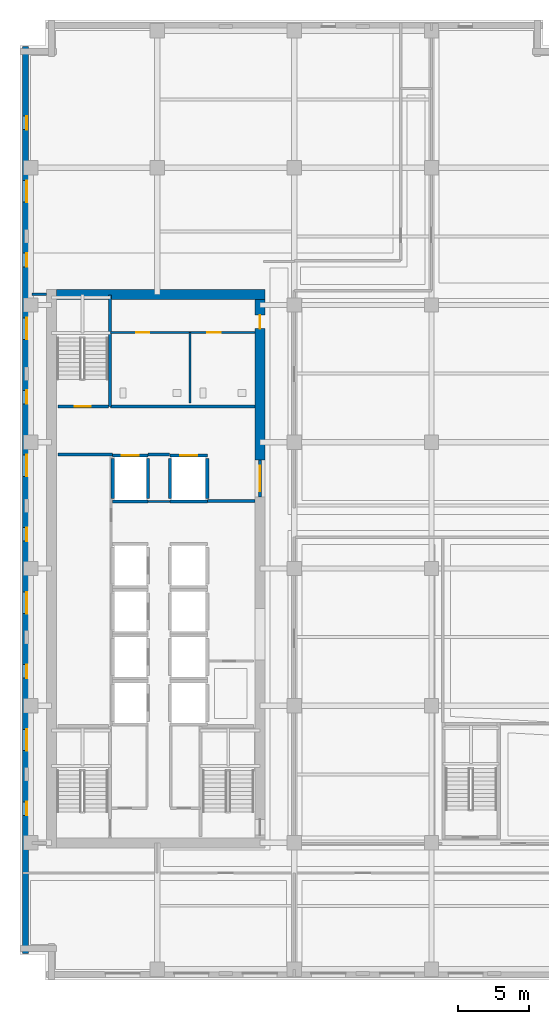
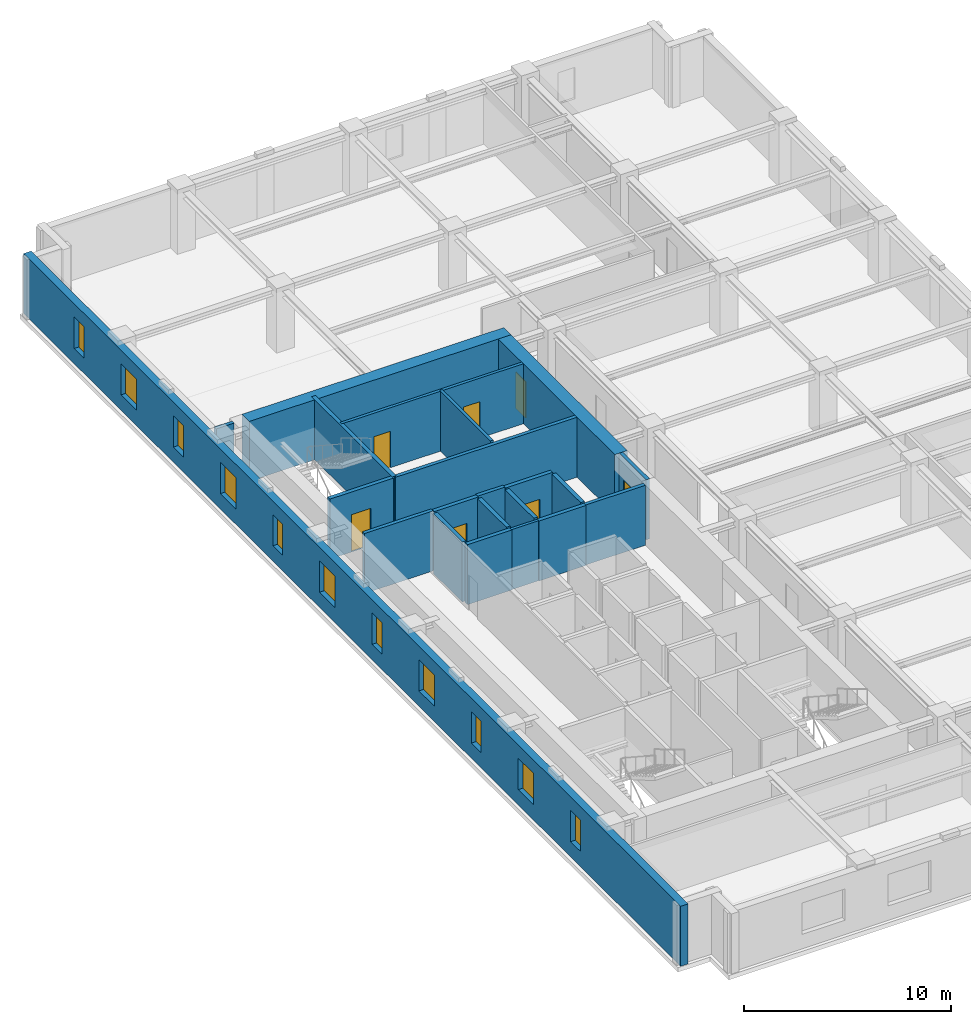
# One storey, part 6 of 12: 22 walls, 11 windows, 7 doors, 18 openings.
"""IFC4 building model written with IfcOpenShell, lengths in metres."""

from ifc_helpers import new_model, si_unit, direction, frame, frame_2d, origin, place, context, subcontext, project, spatial, rectangle, extrude, material, layer, layer_set, type_object, element, fill, save


model = new_model("IFC4")

# Units and contexts
model_context = context("Model", 3, precision=1e-05, world=origin(), true_north=direction((0.0, 1.0)))
body_context = subcontext(model_context, "Body", "Model", "MODEL_VIEW")
ifc_project = project(units=[si_unit("LENGTHUNIT", "METRE"), si_unit("AREAUNIT", "SQUARE_METRE"), si_unit("VOLUMEUNIT", "CUBIC_METRE"), si_unit("PLANEANGLEUNIT", "RADIAN"), si_unit("MASSUNIT", "GRAM", prefix="KILO")], contexts=[model_context])

# Site, building, storey
site_placement = place(None, origin())
site = spatial("IfcSite", under=ifc_project, at=site_placement, CompositionType="ELEMENT")
building_placement = place(site_placement, origin())
building = spatial("IfcBuilding", under=site, at=building_placement, Name="Norrvale University Quadrangle", CompositionType="ELEMENT")
storey_placement = place(building_placement, frame((0.0, 0.0, 109.0)))
storey = spatial("IfcBuildingStorey", under=building, at=storey_placement, Name="L27", CompositionType="ELEMENT", Elevation=109.0)

# Wall, openings, windows
ifc_material_1 = material(Name="Buff Norman Clay Brick Masonry", Category="masonry")
ifc_layer_1 = layer(ifc_material_1, 0.419921875, Name="Buff Norman Clay Brick Masonry")
ifc_layer_set_1 = layer_set([ifc_layer_1], Name="Buff Norman Clay Brick Masonry")
wall_type_1 = type_object("IfcWallType", Name="Wall Buff Brick 420", PredefinedType="SOLIDWALL", material=ifc_layer_set_1)
wall_1_placement = place(storey_placement, frame((0.389892578125, 65.360107421875, 0.0), z_axis=(0.0, 0.0, 1.0), x_axis=(0.0, -1.0, 0.0)))
wall_1 = element("IfcWall", 1, at=wall_1_placement, inside=storey, type_object=wall_type_1, Name="Exterior Brick Facade Wall L27-14.1", PredefinedType="SOLIDWALL", context=body_context, shape_type="SweptSolid", body=[
    extrude(rectangle(XDim=63.52001953125, YDim=0.419921875, at=frame_2d((31.760009765625, 0.0))), origin(), (0.0, 0.0, 1.0), 3.5400390625),
])
opening_1_placement = place(wall_1_placement, frame((4.885009765625, 0.0, 0.89990234375)))
opening_1 = element("IfcOpeningElement", 2, at=opening_1_placement, cuts=wall_1, Name="Opening W04", PredefinedType="OPENING", context=body_context, shape_type="SweptSolid", body=[
    extrude(rectangle(XDim=0.949951171875, YDim=1.85009765625, at=frame_2d((0.47509765625, 0.925048828125))), frame((0.0, 0.221923828125, 0.0), z_axis=(0.0, -1.0, 0.0), x_axis=(1.0, 0.0, 0.0)), (0.0, 0.0, 1.0), 0.44384765625),
])
opening_2_placement = place(wall_1_placement, frame((9.409912109375, 0.0, 0.89990234375)))
opening_2 = element("IfcOpeningElement", 3, at=opening_2_placement, cuts=wall_1, Name="Opening W03", PredefinedType="OPENING", context=body_context, shape_type="SweptSolid", body=[
    extrude(rectangle(XDim=1.5, YDim=1.85009765625, at=frame_2d((0.75, 0.925048828125))), frame((0.0, 0.221923828125, 0.0), z_axis=(0.0, -1.0, 0.0), x_axis=(1.0, 0.0, 0.0)), (0.0, 0.0, 1.0), 0.44384765625),
])
opening_3_placement = place(wall_1_placement, frame((14.485107421875, 0.0, 0.89990234375)))
opening_3 = element("IfcOpeningElement", 4, at=opening_3_placement, cuts=wall_1, Name="Opening W04", PredefinedType="OPENING", context=body_context, shape_type="SweptSolid", body=[
    extrude(rectangle(XDim=0.949951171875, YDim=1.85009765625, at=frame_2d((0.47509765625, 0.925048828125))), frame((0.0, 0.221923828125, 0.0), z_axis=(0.0, -1.0, 0.0), x_axis=(1.0, 0.0, 0.0)), (0.0, 0.0, 1.0), 0.44384765625),
])
opening_4_placement = place(wall_1_placement, frame((19.010009765625, 0.0, 0.89990234375)))
opening_4 = element("IfcOpeningElement", 5, at=opening_4_placement, cuts=wall_1, Name="Opening W03", PredefinedType="OPENING", context=body_context, shape_type="SweptSolid", body=[
    extrude(rectangle(XDim=1.5, YDim=1.85009765625, at=frame_2d((0.75, 0.925048828125))), frame((0.0, 0.221923828125, 0.0), z_axis=(0.0, -1.0, 0.0), x_axis=(1.0, 0.0, 0.0)), (0.0, 0.0, 1.0), 0.44384765625),
])
opening_5_placement = place(wall_1_placement, frame((24.0849609375, 0.0, 0.89990234375)))
opening_5 = element("IfcOpeningElement", 6, at=opening_5_placement, cuts=wall_1, Name="Opening W04", PredefinedType="OPENING", context=body_context, shape_type="SweptSolid", body=[
    extrude(rectangle(XDim=0.949951171875, YDim=1.85009765625, at=frame_2d((0.47509765625, 0.925048828125))), frame((0.0, 0.221923828125, 0.0), z_axis=(0.0, -1.0, 0.0), x_axis=(1.0, 0.0, 0.0)), (0.0, 0.0, 1.0), 0.44384765625),
])
opening_6_placement = place(wall_1_placement, frame((28.610107421875, 0.0, 0.89990234375)))
opening_6 = element("IfcOpeningElement", 7, at=opening_6_placement, cuts=wall_1, Name="Opening W03", PredefinedType="OPENING", context=body_context, shape_type="SweptSolid", body=[
    extrude(rectangle(XDim=1.5, YDim=1.85009765625, at=frame_2d((0.75, 0.925048828125))), frame((0.0, 0.221923828125, 0.0), z_axis=(0.0, -1.0, 0.0), x_axis=(1.0, 0.0, 0.0)), (0.0, 0.0, 1.0), 0.44384765625),
])
opening_7_placement = place(wall_1_placement, frame((33.68505859375, 0.0, 0.89990234375)))
opening_7 = element("IfcOpeningElement", 8, at=opening_7_placement, cuts=wall_1, Name="Opening W04", PredefinedType="OPENING", context=body_context, shape_type="SweptSolid", body=[
    extrude(rectangle(XDim=0.949951171875, YDim=1.85009765625, at=frame_2d((0.47509765625, 0.925048828125))), frame((0.0, 0.221923828125, 0.0), z_axis=(0.0, -1.0, 0.0), x_axis=(1.0, 0.0, 0.0)), (0.0, 0.0, 1.0), 0.44384765625),
])
opening_8_placement = place(wall_1_placement, frame((38.2099609375, 0.0, 0.89990234375)))
opening_8 = element("IfcOpeningElement", 9, at=opening_8_placement, cuts=wall_1, Name="Opening W03", PredefinedType="OPENING", context=body_context, shape_type="SweptSolid", body=[
    extrude(rectangle(XDim=1.5, YDim=1.85009765625, at=frame_2d((0.75, 0.925048828125))), frame((0.0, 0.221923828125, 0.0), z_axis=(0.0, -1.0, 0.0), x_axis=(1.0, 0.0, 0.0)), (0.0, 0.0, 1.0), 0.44384765625),
])
opening_9_placement = place(wall_1_placement, frame((43.284912109375, 0.0, 0.89990234375)))
opening_9 = element("IfcOpeningElement", 10, at=opening_9_placement, cuts=wall_1, Name="Opening W04", PredefinedType="OPENING", context=body_context, shape_type="SweptSolid", body=[
    extrude(rectangle(XDim=0.949951171875, YDim=1.85009765625, at=frame_2d((0.47509765625, 0.925048828125))), frame((0.0, 0.221923828125, 0.0), z_axis=(0.0, -1.0, 0.0), x_axis=(1.0, 0.0, 0.0)), (0.0, 0.0, 1.0), 0.44384765625),
])
opening_10_placement = place(wall_1_placement, frame((47.81005859375, 0.0, 0.89990234375)))
opening_10 = element("IfcOpeningElement", 11, at=opening_10_placement, cuts=wall_1, Name="Opening W03", PredefinedType="OPENING", context=body_context, shape_type="SweptSolid", body=[
    extrude(rectangle(XDim=1.5, YDim=1.85009765625, at=frame_2d((0.75, 0.925048828125))), frame((0.0, 0.221923828125, 0.0), z_axis=(0.0, -1.0, 0.0), x_axis=(1.0, 0.0, 0.0)), (0.0, 0.0, 1.0), 0.44384765625),
])
opening_11_placement = place(wall_1_placement, frame((52.885009765625, 0.0, 0.89990234375)))
opening_11 = element("IfcOpeningElement", 12, at=opening_11_placement, cuts=wall_1, Name="Opening W04", PredefinedType="OPENING", context=body_context, shape_type="SweptSolid", body=[
    extrude(rectangle(XDim=0.949951171875, YDim=1.85009765625, at=frame_2d((0.47509765625, 0.925048828125))), frame((0.0, 0.221923828125, 0.0), z_axis=(0.0, -1.0, 0.0), x_axis=(1.0, 0.0, 0.0)), (0.0, 0.0, 1.0), 0.44384765625),
])
ifc_material_2 = material(Name="Triple Low-E Argon Glazing", Category="glass")
window_type_1 = type_object("IfcWindowType", Name="Window Narrow Pier 950x2300", PartitioningType="SINGLE_PANEL", PredefinedType="WINDOW", material=ifc_material_2)
window_1_placement = place(opening_1_placement, origin())
window_1 = element("IfcWindow", 13, at=window_1_placement, inside=storey, type_object=window_type_1, Name="Window Narrow Pier 950x2300 WIN-L27-E14-1-01", OverallHeight=1.85009765625, OverallWidth=0.949951171875, PartitioningType="SINGLE_PANEL", PredefinedType="WINDOW", context=body_context, shape_type="SweptSolid", body=[
    extrude(rectangle(XDim=0.949951171875, YDim=1.85009765625, at=frame_2d((0.47509765625, 0.925048828125))), frame((0.0, 0.110107421875, 0.0), z_axis=(0.0, -1.0, 0.0), x_axis=(1.0, 0.0, 0.0)), (0.0, 0.0, 1.0), 0.06005859375),
])
fill(opening_1, window_1)
window_2_placement = place(opening_3_placement, origin())
window_2 = element("IfcWindow", 14, at=window_2_placement, inside=storey, type_object=window_type_1, Name="Window Narrow Pier 950x2300 WIN-L27-E14-1-03", OverallHeight=1.85009765625, OverallWidth=0.949951171875, PartitioningType="SINGLE_PANEL", PredefinedType="WINDOW", context=body_context, shape_type="SweptSolid", body=[
    extrude(rectangle(XDim=0.949951171875, YDim=1.85009765625, at=frame_2d((0.47509765625, 0.925048828125))), frame((0.0, 0.110107421875, 0.0), z_axis=(0.0, -1.0, 0.0), x_axis=(1.0, 0.0, 0.0)), (0.0, 0.0, 1.0), 0.06005859375),
])
fill(opening_3, window_2)
window_3_placement = place(opening_5_placement, origin())
window_3 = element("IfcWindow", 15, at=window_3_placement, inside=storey, type_object=window_type_1, Name="Window Narrow Pier 950x2300 WIN-L27-E14-1-05", OverallHeight=1.85009765625, OverallWidth=0.949951171875, PartitioningType="SINGLE_PANEL", PredefinedType="WINDOW", context=body_context, shape_type="SweptSolid", body=[
    extrude(rectangle(XDim=0.949951171875, YDim=1.85009765625, at=frame_2d((0.47509765625, 0.925048828125))), frame((0.0, 0.110107421875, 0.0), z_axis=(0.0, -1.0, 0.0), x_axis=(1.0, 0.0, 0.0)), (0.0, 0.0, 1.0), 0.06005859375),
])
fill(opening_5, window_3)
window_4_placement = place(opening_7_placement, origin())
window_4 = element("IfcWindow", 16, at=window_4_placement, inside=storey, type_object=window_type_1, Name="Window Narrow Pier 950x2300 WIN-L27-E14-1-07", OverallHeight=1.85009765625, OverallWidth=0.949951171875, PartitioningType="SINGLE_PANEL", PredefinedType="WINDOW", context=body_context, shape_type="SweptSolid", body=[
    extrude(rectangle(XDim=0.949951171875, YDim=1.85009765625, at=frame_2d((0.47509765625, 0.925048828125))), frame((0.0, 0.110107421875, 0.0), z_axis=(0.0, -1.0, 0.0), x_axis=(1.0, 0.0, 0.0)), (0.0, 0.0, 1.0), 0.06005859375),
])
fill(opening_7, window_4)
window_5_placement = place(opening_9_placement, origin())
window_5 = element("IfcWindow", 17, at=window_5_placement, inside=storey, type_object=window_type_1, Name="Window Narrow Pier 950x2300 WIN-L27-E14-1-09", OverallHeight=1.85009765625, OverallWidth=0.949951171875, PartitioningType="SINGLE_PANEL", PredefinedType="WINDOW", context=body_context, shape_type="SweptSolid", body=[
    extrude(rectangle(XDim=0.949951171875, YDim=1.85009765625, at=frame_2d((0.47509765625, 0.925048828125))), frame((0.0, 0.110107421875, 0.0), z_axis=(0.0, -1.0, 0.0), x_axis=(1.0, 0.0, 0.0)), (0.0, 0.0, 1.0), 0.06005859375),
])
fill(opening_9, window_5)
window_6_placement = place(opening_11_placement, origin())
window_6 = element("IfcWindow", 18, at=window_6_placement, inside=storey, type_object=window_type_1, Name="Window Narrow Pier 950x2300 WIN-L27-E14-1-11", OverallHeight=1.85009765625, OverallWidth=0.949951171875, PartitioningType="SINGLE_PANEL", PredefinedType="WINDOW", context=body_context, shape_type="SweptSolid", body=[
    extrude(rectangle(XDim=0.949951171875, YDim=1.85009765625, at=frame_2d((0.47509765625, 0.925048828125))), frame((0.0, 0.110107421875, 0.0), z_axis=(0.0, -1.0, 0.0), x_axis=(1.0, 0.0, 0.0)), (0.0, 0.0, 1.0), 0.06005859375),
])
fill(opening_11, window_6)
window_type_2 = type_object("IfcWindowType", Name="Window Studio 1500x2300", PartitioningType="DOUBLE_PANEL_VERTICAL", PredefinedType="WINDOW", material=ifc_material_2)
window_7_placement = place(opening_2_placement, origin())
window_7 = element("IfcWindow", 19, at=window_7_placement, inside=storey, type_object=window_type_2, Name="Window Studio 1500x2300 WIN-L27-E14-1-02", OverallHeight=1.85009765625, OverallWidth=1.5, PartitioningType="DOUBLE_PANEL_VERTICAL", PredefinedType="WINDOW", context=body_context, shape_type="SweptSolid", body=[
    extrude(rectangle(XDim=1.5, YDim=1.85009765625, at=frame_2d((0.75, 0.925048828125))), frame((0.0, 0.110107421875, 0.0), z_axis=(0.0, -1.0, 0.0), x_axis=(1.0, 0.0, 0.0)), (0.0, 0.0, 1.0), 0.06005859375),
])
fill(opening_2, window_7)
window_8_placement = place(opening_4_placement, origin())
window_8 = element("IfcWindow", 20, at=window_8_placement, inside=storey, type_object=window_type_2, Name="Window Studio 1500x2300 WIN-L27-E14-1-04", OverallHeight=1.85009765625, OverallWidth=1.5, PartitioningType="DOUBLE_PANEL_VERTICAL", PredefinedType="WINDOW", context=body_context, shape_type="SweptSolid", body=[
    extrude(rectangle(XDim=1.5, YDim=1.85009765625, at=frame_2d((0.75, 0.925048828125))), frame((0.0, 0.110107421875, 0.0), z_axis=(0.0, -1.0, 0.0), x_axis=(1.0, 0.0, 0.0)), (0.0, 0.0, 1.0), 0.06005859375),
])
fill(opening_4, window_8)
window_9_placement = place(opening_6_placement, origin())
window_9 = element("IfcWindow", 21, at=window_9_placement, inside=storey, type_object=window_type_2, Name="Window Studio 1500x2300 WIN-L27-E14-1-06", OverallHeight=1.85009765625, OverallWidth=1.5, PartitioningType="DOUBLE_PANEL_VERTICAL", PredefinedType="WINDOW", context=body_context, shape_type="SweptSolid", body=[
    extrude(rectangle(XDim=1.5, YDim=1.85009765625, at=frame_2d((0.75, 0.925048828125))), frame((0.0, 0.110107421875, 0.0), z_axis=(0.0, -1.0, 0.0), x_axis=(1.0, 0.0, 0.0)), (0.0, 0.0, 1.0), 0.06005859375),
])
fill(opening_6, window_9)
window_10_placement = place(opening_8_placement, origin())
window_10 = element("IfcWindow", 22, at=window_10_placement, inside=storey, type_object=window_type_2, Name="Window Studio 1500x2300 WIN-L27-E14-1-08", OverallHeight=1.85009765625, OverallWidth=1.5, PartitioningType="DOUBLE_PANEL_VERTICAL", PredefinedType="WINDOW", context=body_context, shape_type="SweptSolid", body=[
    extrude(rectangle(XDim=1.5, YDim=1.85009765625, at=frame_2d((0.75, 0.925048828125))), frame((0.0, 0.110107421875, 0.0), z_axis=(0.0, -1.0, 0.0), x_axis=(1.0, 0.0, 0.0)), (0.0, 0.0, 1.0), 0.06005859375),
])
fill(opening_8, window_10)
window_11_placement = place(opening_10_placement, origin())
window_11 = element("IfcWindow", 23, at=window_11_placement, inside=storey, type_object=window_type_2, Name="Window Studio 1500x2300 WIN-L27-E14-1-10", OverallHeight=1.85009765625, OverallWidth=1.5, PartitioningType="DOUBLE_PANEL_VERTICAL", PredefinedType="WINDOW", context=body_context, shape_type="SweptSolid", body=[
    extrude(rectangle(XDim=1.5, YDim=1.85009765625, at=frame_2d((0.75, 0.925048828125))), frame((0.0, 0.110107421875, 0.0), z_axis=(0.0, -1.0, 0.0), x_axis=(1.0, 0.0, 0.0)), (0.0, 0.0, 1.0), 0.06005859375),
])
fill(opening_10, window_11)

# Wall
ifc_material_3 = material(Name="Concrete C60/75", Category="concrete")
ifc_layer_2 = layer(ifc_material_3, 0.699951171875, Name="Concrete C60/75")
ifc_layer_set_2 = layer_set([ifc_layer_2], Name="Concrete C60/75")
wall_type_2 = type_object("IfcWallType", Name="Wall Core 700", PredefinedType="SHEAR", material=ifc_layer_set_2)
wall_2_placement = place(storey_placement, frame((2.550048828125, 48.0, 0.0), z_axis=(0.0, 0.0, 1.0), x_axis=(1.0, 0.0, 0.0)))
element("IfcWall", 24, at=wall_2_placement, inside=storey, type_object=wall_type_2, Name="Tower Core Shear Wall L27-N", PredefinedType="SHEAR", context=body_context, shape_type="SweptSolid", body=[
    extrude(rectangle(XDim=14.599853515625, YDim=0.699951171875, at=frame_2d((7.2998046875, 0.0))), origin(), (0.0, 0.0, 1.0), 3.5400390625),
])

# Wall, opening, door
wall_3_placement = place(storey_placement, frame((16.800048828125, 36.39990234375, 0.0), z_axis=(0.0, 0.0, 1.0), x_axis=(0.0, 1.0, 0.0)))
wall_3 = element("IfcWall", 25, at=wall_3_placement, inside=storey, type_object=wall_type_2, Name="Tower Core Shear Wall L27-E3", PredefinedType="SHEAR", context=body_context, shape_type="SweptSolid", body=[
    extrude(rectangle(XDim=11.25, YDim=0.699951171875, at=frame_2d((5.625, 0.0))), origin(), (0.0, 0.0, 1.0), 3.5400390625),
])
opening_12_placement = place(wall_3_placement, frame((9.199951171875, 0.0, 0.0)))
opening_12 = element("IfcOpeningElement", 26, at=opening_12_placement, cuts=wall_3, Name="Opening D07", PredefinedType="OPENING", context=body_context, shape_type="SweptSolid", body=[
    extrude(rectangle(XDim=0.949951171875, YDim=2.14990234375, at=frame_2d((0.47509765625, 1.074951171875))), frame((0.0, 0.362060546875, 0.0), z_axis=(0.0, -1.0, 0.0), x_axis=(1.0, 0.0, 0.0)), (0.0, 0.0, 1.0), 0.723876953125),
])
ifc_material_4 = material(Name="Solid-Core Maple Door", Category="wood")
door_type_1 = type_object("IfcDoorType", Name="Door Office 950x2150", OperationType="NOTDEFINED", PredefinedType="DOOR", material=ifc_material_4)
door_1_placement = place(opening_12_placement, origin())
door_1 = element("IfcDoor", 27, at=door_1_placement, inside=storey, type_object=door_type_1, Name="Door Office 950x2150 DR-L27-NECORR", OperationType="SINGLE_SWING_RIGHT", OverallHeight=2.14990234375, OverallWidth=0.949951171875, PredefinedType="DOOR", context=body_context, shape_type="SweptSolid", body=[
    extrude(rectangle(XDim=0.949951171875, YDim=2.14990234375, at=frame_2d((0.47509765625, 1.074951171875))), frame((0.0, 0.02490234375, 0.0), z_axis=(0.0, -1.0, 0.0), x_axis=(1.0, 0.0, 0.0)), (0.0, 0.0, 1.0), 0.050048828125),
])
fill(opening_12, door_1)

# Wall
ifc_material_5 = material(Name="Fire-Rated Gypsum Stud Partition")
ifc_layer_3 = layer(ifc_material_5, 0.14990234375, Name="Fire-Rated Gypsum Stud Partition")
ifc_layer_set_3 = layer_set([ifc_layer_3], Name="Fire-Rated Gypsum Stud Partition")
wall_type_3 = type_object("IfcWallType", Name="Wall Gypsum Corridor 150", PredefinedType="PARTITIONING", material=ifc_layer_set_3)
wall_4_placement = place(storey_placement, frame((8.965087890625, 33.489990234375, 0.0), z_axis=(0.0, 0.0, 1.0), x_axis=(1.0, 0.0, 0.0)))
element("IfcWall", 28, at=wall_4_placement, inside=storey, type_object=wall_type_3, Name="Interior Partition WL-L27-LL3", PredefinedType="PARTITIONING", context=body_context, shape_type="SweptSolid", body=[
    extrude(rectangle(XDim=1.52001953125, YDim=0.14990234375, at=frame_2d((0.760009765625, 0.0))), origin(), (0.0, 0.0, 1.0), 3.5400390625),
])

# Wall, openings, doors
ifc_material_6 = material(Name="Sanitary Chase Gypsum Partition")
ifc_layer_4 = layer(ifc_material_6, 0.1650390625, Name="Sanitary Chase Gypsum Partition")
ifc_layer_set_4 = layer_set([ifc_layer_4], Name="Sanitary Chase Gypsum Partition")
wall_type_4 = type_object("IfcWallType", Name="Wall Gypsum Sanitary 165", PredefinedType="PLUMBINGWALL", material=ifc_layer_set_4)
wall_5_placement = place(storey_placement, frame((6.320068359375, 45.320068359375, 0.0), z_axis=(0.0, 0.0, 1.0), x_axis=(1.0, 0.0, 0.0)))
wall_5 = element("IfcWall", 29, at=wall_5_placement, inside=storey, type_object=wall_type_4, Name="Interior Partition WL-L27-WCN", PredefinedType="PLUMBINGWALL", context=body_context, shape_type="SweptSolid", body=[
    extrude(rectangle(XDim=10.1298828125, YDim=0.1650390625, at=frame_2d((5.06494140625, 0.0))), origin(), (0.0, 0.0, 1.0), 3.5400390625),
])
opening_13_placement = place(wall_5_placement, frame((1.800048828125, 0.0, 0.0)))
opening_13 = element("IfcOpeningElement", 30, at=opening_13_placement, cuts=wall_5, Name="Opening D08", PredefinedType="OPENING", context=body_context, shape_type="SweptSolid", body=[
    extrude(rectangle(XDim=0.919921875, YDim=2.14990234375, at=frame_2d((0.4599609375, 1.074951171875))), frame((0.0, 0.094482421875, 0.0), z_axis=(0.0, -1.0, 0.0), x_axis=(1.0, 0.0, 0.0)), (0.0, 0.0, 1.0), 0.18896484375),
])
opening_14_placement = place(wall_5_placement, frame((6.800048828125, 0.0, 0.0)))
opening_14 = element("IfcOpeningElement", 31, at=opening_14_placement, cuts=wall_5, Name="Opening D08", PredefinedType="OPENING", context=body_context, shape_type="SweptSolid", body=[
    extrude(rectangle(XDim=0.919921875, YDim=2.14990234375, at=frame_2d((0.4599609375, 1.074951171875))), frame((0.0, 0.094482421875, 0.0), z_axis=(0.0, -1.0, 0.0), x_axis=(1.0, 0.0, 0.0)), (0.0, 0.0, 1.0), 0.18896484375),
])
ifc_material_7 = material(Name="Laminate Washroom Door", Category="wood")
door_type_2 = type_object("IfcDoorType", Name="Door Washroom 920x2150", OperationType="NOTDEFINED", PredefinedType="DOOR", material=ifc_material_7)
door_2_placement = place(opening_13_placement, origin())
door_2 = element("IfcDoor", 32, at=door_2_placement, inside=storey, type_object=door_type_2, Name="Door Washroom 920x2150 DR-L27-WC1", OperationType="SINGLE_SWING_LEFT", OverallHeight=2.14990234375, OverallWidth=0.919921875, PredefinedType="DOOR", context=body_context, shape_type="SweptSolid", body=[
    extrude(rectangle(XDim=0.919921875, YDim=2.14990234375, at=frame_2d((0.4599609375, 1.074951171875))), frame((0.0, 0.02490234375, 0.0), z_axis=(0.0, -1.0, 0.0), x_axis=(1.0, 0.0, 0.0)), (0.0, 0.0, 1.0), 0.050048828125),
])
fill(opening_13, door_2)
door_3_placement = place(opening_14_placement, origin())
door_3 = element("IfcDoor", 33, at=door_3_placement, inside=storey, type_object=door_type_2, Name="Door Washroom 920x2150 DR-L27-WC2", OperationType="SINGLE_SWING_RIGHT", OverallHeight=2.14990234375, OverallWidth=0.919921875, PredefinedType="DOOR", context=body_context, shape_type="SweptSolid", body=[
    extrude(rectangle(XDim=0.919921875, YDim=2.14990234375, at=frame_2d((0.4599609375, 1.074951171875))), frame((0.0, 0.02490234375, 0.0), z_axis=(0.0, -1.0, 0.0), x_axis=(1.0, 0.0, 0.0)), (0.0, 0.0, 1.0), 0.050048828125),
])
fill(opening_14, door_3)

# Walls
wall_6_placement = place(storey_placement, frame((11.89990234375, 40.39990234375, 0.0), z_axis=(0.0, 0.0, 1.0), x_axis=(0.0, 1.0, 0.0)))
element("IfcWall", 34, at=wall_6_placement, inside=storey, type_object=wall_type_4, Name="Interior Partition WL-L27-WCM1", PredefinedType="PLUMBINGWALL", context=body_context, shape_type="SweptSolid", body=[
    extrude(rectangle(XDim=4.920166015625, YDim=0.1650390625, at=frame_2d((2.4599609375, 0.0))), origin(), (0.0, 0.0, 1.0), 3.5400390625),
])
ifc_material_8 = material(Name="Concrete Blockwork 20 MPa Rated Wall", Category="masonry")
ifc_layer_5 = layer(ifc_material_8, 0.199951171875, Name="Concrete Blockwork 20 MPa Rated Wall")
ifc_layer_set_5 = layer_set([ifc_layer_5], Name="Concrete Blockwork 20 MPa Rated Wall")
wall_type_5 = type_object("IfcWallType", Name="Wall Lobby 200", PredefinedType="SOLIDWALL", material=ifc_layer_set_5)
wall_7_placement = place(storey_placement, frame((2.64990234375, 36.780029296875, 0.0), z_axis=(0.0, 0.0, 1.0), x_axis=(1.0, 0.0, 0.0)))
element("IfcWall", 35, at=wall_7_placement, inside=storey, type_object=wall_type_5, Name="Interior Partition WL-L27-FF1", PredefinedType="SOLIDWALL", context=body_context, shape_type="SweptSolid", body=[
    extrude(rectangle(XDim=3.830078125, YDim=0.199951171875, at=frame_2d((1.9150390625, 0.0))), origin(), (0.0, 0.0, 1.0), 3.5400390625),
])
wall_8_placement = place(storey_placement, frame((8.969970703125, 36.780029296875, 0.0), z_axis=(0.0, 0.0, 1.0), x_axis=(1.0, 0.0, 0.0)))
element("IfcWall", 36, at=wall_8_placement, inside=storey, type_object=wall_type_5, Name="Interior Partition WL-L27-FF2", PredefinedType="SOLIDWALL", context=body_context, shape_type="SweptSolid", body=[
    extrude(rectangle(XDim=1.510009765625, YDim=0.199951171875, at=frame_2d((0.7548828125, 0.0))), origin(), (0.0, 0.0, 1.0), 3.5400390625),
])
wall_9_placement = place(storey_placement, frame((13.1201171875, 33.52001953125, 0.0), z_axis=(0.0, 0.0, 1.0), x_axis=(1.0, 0.0, 0.0)))
element("IfcWall", 37, at=wall_9_placement, inside=storey, type_object=wall_type_5, Name="Interior Partition WL-L27-FF3", PredefinedType="SOLIDWALL", context=body_context, shape_type="SweptSolid", body=[
    extrude(rectangle(XDim=3.329833984375, YDim=0.199951171875, at=frame_2d((1.6650390625, 0.0))), origin(), (0.0, 0.0, 1.0), 3.5400390625),
])
wall_10_placement = place(storey_placement, frame((6.320068359375, 40.139892578125, 0.0), z_axis=(0.0, 0.0, 1.0), x_axis=(1.0, 0.0, 0.0)))
element("IfcWall", 38, at=wall_10_placement, inside=storey, type_object=wall_type_5, Name="Interior Partition WL-L27-FF4", PredefinedType="SOLIDWALL", context=body_context, shape_type="SweptSolid", body=[
    extrude(rectangle(XDim=10.1298828125, YDim=0.199951171875, at=frame_2d((5.06494140625, 0.0))), origin(), (0.0, 0.0, 1.0), 3.5400390625),
])

# Wall, opening, door
wall_11_placement = place(storey_placement, frame((16.800048828125, 33.800048828125, 0.0), z_axis=(0.0, 0.0, 1.0), x_axis=(0.0, 1.0, 0.0)))
wall_11 = element("IfcWall", 39, at=wall_11_placement, inside=storey, type_object=wall_type_5, Name="Interior Partition WL-L27-FFP", PredefinedType="SOLIDWALL", context=body_context, shape_type="SweptSolid", body=[
    extrude(rectangle(XDim=2.599853515625, YDim=0.199951171875, at=frame_2d((1.2998046875, 0.0))), origin(), (0.0, 0.0, 1.0), 3.5400390625),
])
opening_15_placement = place(wall_11_placement, frame((0.39990234375, 0.0, 0.0)))
opening_15 = element("IfcOpeningElement", 40, at=opening_15_placement, cuts=wall_11, Name="Opening D03", PredefinedType="OPENING", context=body_context, shape_type="SweptSolid", body=[
    extrude(rectangle(XDim=1.800048828125, YDim=2.199951171875, at=frame_2d((0.89990234375, 1.10009765625))), frame((0.0, 0.112060546875, 0.0), z_axis=(0.0, -1.0, 0.0), x_axis=(1.0, 0.0, 0.0)), (0.0, 0.0, 1.0), 0.223876953125),
])
ifc_material_9 = material(Name="Hollow Steel 350W Fire Door", Category="steel")
door_type_3 = type_object("IfcDoorType", Name="Door Fire Lobby 1800x2200", OperationType="DOUBLE_DOOR_SINGLE_SWING", PredefinedType="DOOR", material=ifc_material_9)
door_4_placement = place(opening_15_placement, origin())
door_4 = element("IfcDoor", 41, at=door_4_placement, inside=storey, type_object=door_type_3, Name="Door Fire Lobby 1800x2200 DR-L27-FFP", OperationType="DOUBLE_DOOR_SINGLE_SWING", OverallHeight=2.199951171875, OverallWidth=1.800048828125, PredefinedType="DOOR", context=body_context, shape_type="SweptSolid", body=[
    extrude(rectangle(XDim=1.800048828125, YDim=2.199951171875, at=frame_2d((0.89990234375, 1.10009765625))), frame((0.0, 0.02490234375, 0.0), z_axis=(0.0, -1.0, 0.0), x_axis=(1.0, 0.0, 0.0)), (0.0, 0.0, 1.0), 0.050048828125),
])
fill(opening_15, door_4)

# Wall
wall_12_placement = place(storey_placement, frame((0.85009765625, 48.0, 0.0), z_axis=(0.0, 0.0, 1.0), x_axis=(1.0, 0.0, 0.0)))
element("IfcWall", 42, at=wall_12_placement, inside=storey, type_object=wall_type_5, Name="Interior Partition WL-L27-CWRET-N", PredefinedType="SOLIDWALL", context=body_context, shape_type="SweptSolid", body=[
    extrude(rectangle(XDim=0.994873046875, YDim=0.199951171875, at=frame_2d((0.49755859375, 0.0))), origin(), (0.0, 0.0, 1.0), 3.5400390625),
])

# Wall, opening, door
ifc_material_10 = material(Name="Concrete Blockwork 20 MPa Fire Shaft", Category="masonry")
ifc_layer_6 = layer(ifc_material_10, 0.219970703125, Name="Concrete Blockwork 20 MPa Fire Shaft")
ifc_layer_set_6 = layer_set([ifc_layer_6], Name="Concrete Blockwork 20 MPa Fire Shaft")
wall_type_6 = type_object("IfcWallType", Name="Wall Shaft 220", PredefinedType="SOLIDWALL", material=ifc_layer_set_6)
wall_13_placement = place(storey_placement, frame((2.64990234375, 40.139892578125, 0.0), z_axis=(0.0, 0.0, 1.0), x_axis=(1.0, 0.0, 0.0)))
wall_13 = element("IfcWall", 43, at=wall_13_placement, inside=storey, type_object=wall_type_6, Name="Stair ST-02 South Shaft Wall L27", PredefinedType="SOLIDWALL", context=body_context, shape_type="SweptSolid", body=[
    extrude(rectangle(XDim=3.550048828125, YDim=0.219970703125, at=frame_2d((1.77490234375, 0.0))), origin(), (0.0, 0.0, 1.0), 3.5400390625),
])
opening_16_placement = place(wall_13_placement, frame((1.199951171875, 0.0, 0.0)))
opening_16 = element("IfcOpeningElement", 44, at=opening_16_placement, cuts=wall_13, Name="Opening D02", PredefinedType="OPENING", context=body_context, shape_type="SweptSolid", body=[
    extrude(rectangle(XDim=1.10009765625, YDim=2.199951171875, at=frame_2d((0.550048828125, 1.10009765625))), frame((0.0, 0.1220703125, 0.0), z_axis=(0.0, -1.0, 0.0), x_axis=(1.0, 0.0, 0.0)), (0.0, 0.0, 1.0), 0.243896484375),
])
door_type_4 = type_object("IfcDoorType", Name="Door Stair Exit 1100x2200", OperationType="NOTDEFINED", PredefinedType="DOOR", material=ifc_material_9)
door_5_placement = place(opening_16_placement, origin())
door_5 = element("IfcDoor", 45, at=door_5_placement, inside=storey, type_object=door_type_4, Name="Door Stair Exit 1100x2200 DR-L27-ST02", OperationType="SINGLE_SWING_LEFT", OverallHeight=2.199951171875, OverallWidth=1.10009765625, PredefinedType="DOOR", context=body_context, shape_type="SweptSolid", body=[
    extrude(rectangle(XDim=1.10009765625, YDim=2.199951171875, at=frame_2d((0.550048828125, 1.10009765625))), frame((0.0, 0.02490234375, 0.0), z_axis=(0.0, -1.0, 0.0), x_axis=(1.0, 0.0, 0.0)), (0.0, 0.0, 1.0), 0.050048828125),
])
fill(opening_16, door_5)

# Walls
wall_14_placement = place(storey_placement, frame((6.31005859375, 40.139892578125, 0.0), z_axis=(0.0, 0.0, 1.0), x_axis=(0.0, 1.0, 0.0)))
element("IfcWall", 46, at=wall_14_placement, inside=storey, type_object=wall_type_6, Name="Stair ST-02 East Shaft Wall L27", PredefinedType="SOLIDWALL", context=body_context, shape_type="SweptSolid", body=[
    extrude(rectangle(XDim=7.81005859375, YDim=0.219970703125, at=frame_2d((3.905029296875, 0.0))), origin(), (0.0, 0.0, 1.0), 3.5400390625),
])
for number, where, z_axis, x_axis, name in (
    (47, (6.489990234375, 33.7099609375, 0.0), (0.0, 0.0, 1.0), (0.0, 1.0, 0.0), "Hoistway FFL-01 West Wall L27"),
    (48, (8.9599609375, 33.7099609375, 0.0), (0.0, 0.0, 1.0), (0.0, 1.0, 0.0), "Hoistway FFL-01 East Wall L27"),
):
    element("IfcWall", number, at=place(storey_placement, frame(where, z_axis=z_axis, x_axis=x_axis)), inside=storey, type_object=wall_type_6, Name=name, PredefinedType="SOLIDWALL", context=body_context, shape_type="SweptSolid", body=[
        extrude(rectangle(XDim=2.780029296875, YDim=0.219970703125, at=frame_2d((1.39013671875, 0.0))), origin(), (0.0, 0.0, 1.0), 3.5400390625),
    ])
wall_15_placement = place(storey_placement, frame((6.489990234375, 33.489990234375, 0.0), z_axis=(0.0, 0.0, 1.0), x_axis=(1.0, 0.0, 0.0)))
element("IfcWall", 49, at=wall_15_placement, inside=storey, type_object=wall_type_6, Name="Hoistway FFL-01 South Wall L27", PredefinedType="SOLIDWALL", context=body_context, shape_type="SweptSolid", body=[
    extrude(rectangle(XDim=2.469970703125, YDim=0.219970703125, at=frame_2d((1.23486328125, 0.0))), origin(), (0.0, 0.0, 1.0), 3.5400390625),
])

# Wall, opening, door
wall_16_placement = place(storey_placement, frame((6.489990234375, 36.7099609375, 0.0), z_axis=(0.0, 0.0, 1.0), x_axis=(1.0, 0.0, 0.0)))
wall_16 = element("IfcWall", 50, at=wall_16_placement, inside=storey, type_object=wall_type_6, Name="Hoistway FFL-01 North Wall L27", PredefinedType="SOLIDWALL", context=body_context, shape_type="SweptSolid", body=[
    extrude(rectangle(XDim=2.469970703125, YDim=0.219970703125, at=frame_2d((1.23486328125, 0.0))), origin(), (0.0, 0.0, 1.0), 3.5400390625),
])
opening_17_placement = place(wall_16_placement, frame((0.635009765625, 0.0, 0.0)))
opening_17 = element("IfcOpeningElement", 51, at=opening_17_placement, cuts=wall_16, Name="Opening LD2", PredefinedType="OPENING", context=body_context, shape_type="SweptSolid", body=[
    extrude(rectangle(XDim=1.199951171875, YDim=2.199951171875, at=frame_2d((0.60009765625, 1.10009765625))), frame((0.0, 0.1220703125, 0.0), z_axis=(0.0, -1.0, 0.0), x_axis=(1.0, 0.0, 0.0)), (0.0, 0.0, 1.0), 0.243896484375),
])
ifc_material_11 = material(Name="Stainless Steel 316L Firefighter Lift Door", Category="steel")
door_type_5 = type_object("IfcDoorType", Name="Door Fire Lift 1200x2200", OperationType="DOUBLE_DOOR_SLIDING", PredefinedType="DOOR", material=ifc_material_11)
door_6_placement = place(opening_17_placement, origin())
door_6 = element("IfcDoor", 52, at=door_6_placement, inside=storey, type_object=door_type_5, Name="Elevator Landing Door DR-L27-FFL-01", OperationType="DOUBLE_DOOR_SLIDING", OverallHeight=2.199951171875, OverallWidth=1.199951171875, PredefinedType="DOOR", context=body_context, shape_type="SweptSolid", body=[
    extrude(rectangle(XDim=1.199951171875, YDim=2.199951171875, at=frame_2d((0.60009765625, 1.10009765625))), frame((0.0, 0.02490234375, 0.0), z_axis=(0.0, -1.0, 0.0), x_axis=(1.0, 0.0, 0.0)), (0.0, 0.0, 1.0), 0.050048828125),
])
fill(opening_17, door_6)

# Walls
for number, where, z_axis, x_axis, name in (
    (53, (10.489990234375, 33.7099609375, 0.0), (0.0, 0.0, 1.0), (0.0, 1.0, 0.0), "Hoistway FFL-02 West Wall L27"),
    (54, (13.110107421875, 33.7099609375, 0.0), (0.0, 0.0, 1.0), (0.0, 1.0, 0.0), "Hoistway FFL-02 East Wall L27"),
):
    element("IfcWall", number, at=place(storey_placement, frame(where, z_axis=z_axis, x_axis=x_axis)), inside=storey, type_object=wall_type_6, Name=name, PredefinedType="SOLIDWALL", context=body_context, shape_type="SweptSolid", body=[
        extrude(rectangle(XDim=2.780029296875, YDim=0.219970703125, at=frame_2d((1.39013671875, 0.0))), origin(), (0.0, 0.0, 1.0), 3.5400390625),
    ])
wall_17_placement = place(storey_placement, frame((10.489990234375, 33.489990234375, 0.0), z_axis=(0.0, 0.0, 1.0), x_axis=(1.0, 0.0, 0.0)))
element("IfcWall", 55, at=wall_17_placement, inside=storey, type_object=wall_type_6, Name="Hoistway FFL-02 South Wall L27", PredefinedType="SOLIDWALL", context=body_context, shape_type="SweptSolid", body=[
    extrude(rectangle(XDim=2.6201171875, YDim=0.219970703125, at=frame_2d((1.31005859375, 0.0))), origin(), (0.0, 0.0, 1.0), 3.5400390625),
])

# Wall, opening, door
wall_18_placement = place(storey_placement, frame((10.489990234375, 36.7099609375, 0.0), z_axis=(0.0, 0.0, 1.0), x_axis=(1.0, 0.0, 0.0)))
wall_18 = element("IfcWall", 56, at=wall_18_placement, inside=storey, type_object=wall_type_6, Name="Hoistway FFL-02 North Wall L27", PredefinedType="SOLIDWALL", context=body_context, shape_type="SweptSolid", body=[
    extrude(rectangle(XDim=2.6201171875, YDim=0.219970703125, at=frame_2d((1.31005859375, 0.0))), origin(), (0.0, 0.0, 1.0), 3.5400390625),
])
opening_18_placement = place(wall_18_placement, frame((0.7099609375, 0.0, 0.0)))
opening_18 = element("IfcOpeningElement", 57, at=opening_18_placement, cuts=wall_18, Name="Opening LD2", PredefinedType="OPENING", context=body_context, shape_type="SweptSolid", body=[
    extrude(rectangle(XDim=1.199951171875, YDim=2.199951171875, at=frame_2d((0.60009765625, 1.10009765625))), frame((0.0, 0.1220703125, 0.0), z_axis=(0.0, -1.0, 0.0), x_axis=(1.0, 0.0, 0.0)), (0.0, 0.0, 1.0), 0.243896484375),
])
door_7_placement = place(opening_18_placement, origin())
door_7 = element("IfcDoor", 58, at=door_7_placement, inside=storey, type_object=door_type_5, Name="Elevator Landing Door DR-L27-FFL-02", OperationType="DOUBLE_DOOR_SLIDING", OverallHeight=2.199951171875, OverallWidth=1.199951171875, PredefinedType="DOOR", context=body_context, shape_type="SweptSolid", body=[
    extrude(rectangle(XDim=1.199951171875, YDim=2.199951171875, at=frame_2d((0.60009765625, 1.10009765625))), frame((0.0, 0.02490234375, 0.0), z_axis=(0.0, -1.0, 0.0), x_axis=(1.0, 0.0, 0.0)), (0.0, 0.0, 1.0), 0.050048828125),
])
fill(opening_18, door_7)

save(model, "model.ifc")
